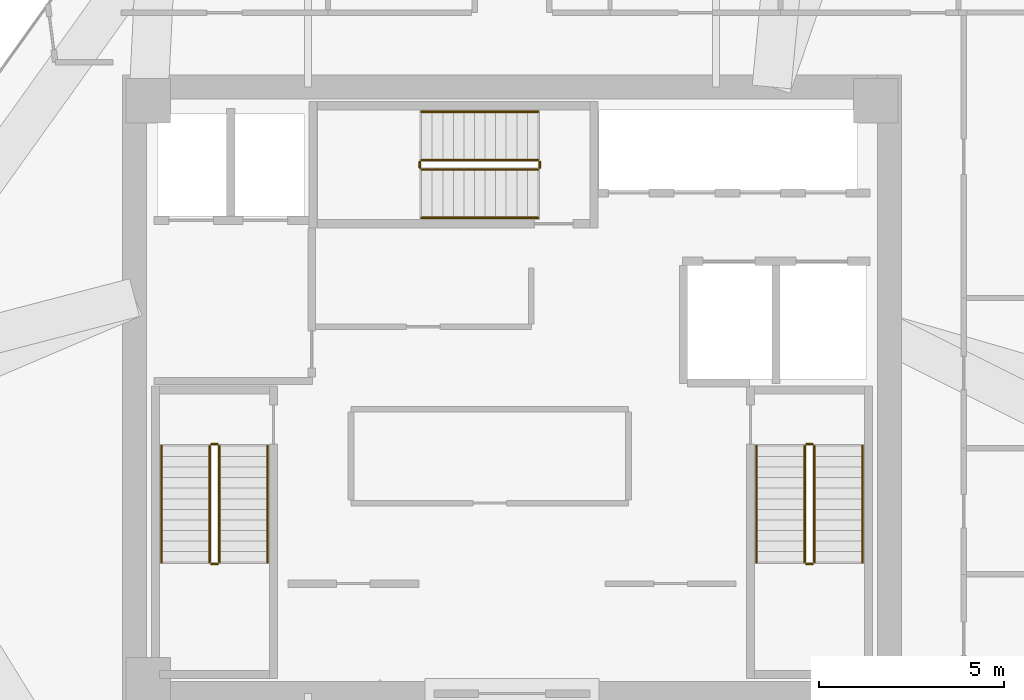
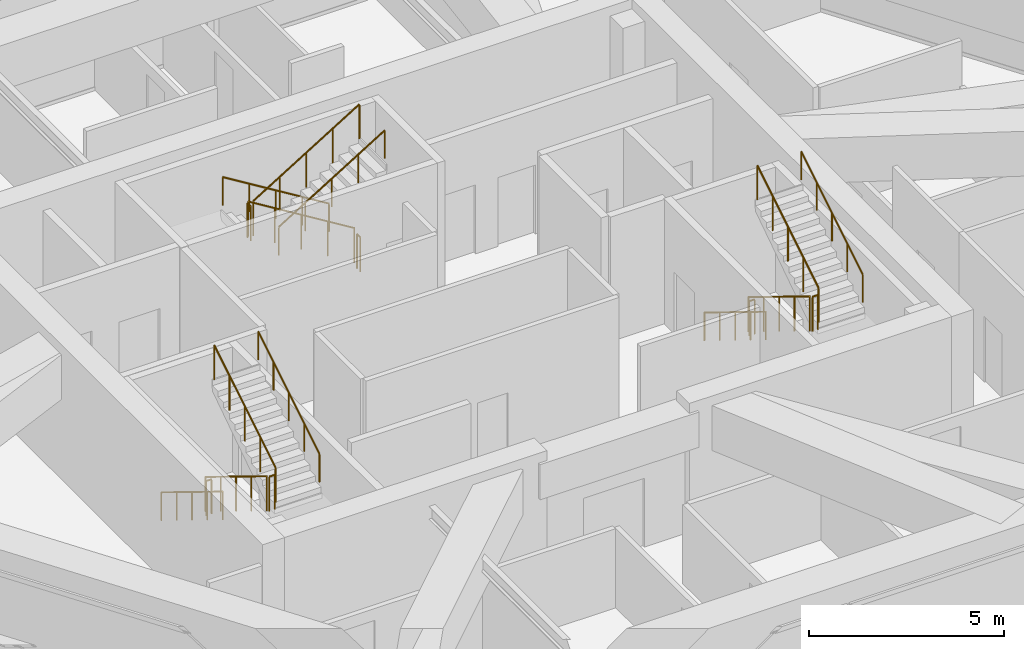
# One storey, part 11 of 11: 18 railings.
"""IFC4 building model written with IfcOpenShell, lengths in metres."""

import ifcopenshell
import ifcopenshell.guid

model = None  # the IFC model being written
_history = None  # IfcOwnerHistory: only IFC2X3 demands one
_inside = {}  # id of a spatial element -> (the spatial element, [elements in it])
_under = {}  # id of a project, library or spatial element -> (it, [spatial elements below it])
_declared = {}  # id of a project -> (the project, [libraries it declares])
_typed = {}  # id of a type object -> (the type object, [elements of that type])
_made_of = {}  # id of a material, layer set ... -> (it, [elements and type objects made of it])


def new_model(schema):
    """Start an empty IFC model of exactly this schema.

    Asked for "IFC4X3", IfcOpenShell would pick the latest addendum, in which some entities
    have other attributes; the version numbers below select the first issue.
    IFC2X3 requires an IfcOwnerHistory on every rooted entity: one is made here for all.
    """
    global model, _history
    if schema == "IFC4X3":
        model = ifcopenshell.file(schema_version=(4, 3, 0, 0))
    else:
        model = ifcopenshell.file(schema=schema)
    _inside.clear()
    _under.clear()
    _declared.clear()
    _typed.clear()
    _made_of.clear()
    _history = None
    if model.schema == "IFC2X3":
        org = make("IfcOrganization", Name="unknown")
        user = make(
            "IfcPersonAndOrganization",
            ThePerson=make("IfcPerson", FamilyName="unknown"),
            TheOrganization=org,
        )
        app = make(
            "IfcApplication",
            ApplicationDeveloper=org,
            Version="unknown",
            ApplicationFullName="unknown",
            ApplicationIdentifier="unknown",
        )
        _history = make(
            "IfcOwnerHistory",
            OwningUser=user,
            OwningApplication=app,
            ChangeAction="ADDED",
            CreationDate=0,
        )
    return model


def make(cls, **values):
    """One entity of the class cls with the attributes given. An attribute that is None is left unset."""
    return model.create_entity(
        cls, **{name: value for name, value in values.items() if value is not None}
    )


def rooted(cls, **values):
    """An entity with a GlobalId (a new one), such as an element, a storey or a relation."""
    return make(cls, GlobalId=ifcopenshell.guid.new(), OwnerHistory=_history, **values)


def si_unit(unit_type, name, prefix=None):
    """IfcSIUnit, for example si_unit("LENGTHUNIT", "METRE", prefix="MILLI")."""
    return make("IfcSIUnit", UnitType=unit_type, Prefix=prefix, Name=name)


def assignment(units):
    """IfcUnitAssignment: the units of a project."""
    return None if units is None else make("IfcUnitAssignment", Units=units)


def point(xyz):
    """IfcCartesianPoint."""
    return None if xyz is None else make("IfcCartesianPoint", Coordinates=xyz)


def direction(xyz):
    """IfcDirection."""
    return None if xyz is None else make("IfcDirection", DirectionRatios=xyz)


def frame(location, z_axis=None, x_axis=None):
    """IfcAxis2Placement3D, a coordinate frame: its origin and axes. An axis left out is left unset."""
    return make(
        "IfcAxis2Placement3D",
        Location=point(location),
        Axis=direction(z_axis),
        RefDirection=direction(x_axis),
    )


def frame_2d(location, x_axis=None):
    """IfcAxis2Placement2D, a coordinate frame in the plane: its origin and x axis."""
    return make(
        "IfcAxis2Placement2D", Location=point(location), RefDirection=direction(x_axis)
    )


def origin():
    """The frame at (0, 0, 0) with its axes left unset."""
    return frame((0.0, 0.0, 0.0))


def origin_2d():
    """The frame at (0, 0) in the plane with its x axis left unset."""
    return frame_2d((0.0, 0.0))


def place(relative_to, where):
    """IfcLocalPlacement: puts the frame where relative to a parent placement (None: the world)."""
    return make(
        "IfcLocalPlacement", PlacementRelTo=relative_to, RelativePlacement=where
    )


def context(
    kind, dimensions, precision=None, world=None, true_north=None, identifier=None
):
    """IfcGeometricRepresentationContext, for example the 3D "Model" context."""
    return make(
        "IfcGeometricRepresentationContext",
        ContextIdentifier=identifier,
        ContextType=kind,
        CoordinateSpaceDimension=dimensions,
        Precision=precision,
        WorldCoordinateSystem=world,
        TrueNorth=true_north,
    )


def subcontext(parent, identifier, kind, view, scale=None):
    """IfcGeometricRepresentationSubContext, for example "Body" below "Model"."""
    return make(
        "IfcGeometricRepresentationSubContext",
        ContextIdentifier=identifier,
        ContextType=kind,
        ParentContext=parent,
        TargetScale=scale,
        TargetView=view,
    )


def project(units=None, contexts=None):
    """IfcProject with its units and contexts."""
    return rooted(
        "IfcProject",
        Name="project",
        RepresentationContexts=contexts,
        UnitsInContext=assignment(units),
    )


def spatial(cls, under=None, at=None, **own):
    """A site, building, storey or space (cls), placed at a placement, below another one or the project."""
    s = rooted(cls, ObjectPlacement=at, **own)
    if under is not None:
        _under.setdefault(under.id(), (under, []))[1].append(s)
    return s


def profile(cls, at=None, kind="AREA", **sizes):
    """A parametric profile (cls). Its sizes go by their IFC names, for example OverallWidth=200.0."""
    return make(cls, ProfileType=kind, Position=at, **sizes)


def circle(**sizes):
    """IfcCircleProfileDef."""
    return profile("IfcCircleProfileDef", **sizes)


def extrude(swept, where, along, depth):
    """IfcExtrudedAreaSolid: the profile swept, set in the frame where, extruded along a direction by depth."""
    return make(
        "IfcExtrudedAreaSolid",
        SweptArea=swept,
        Position=where,
        ExtrudedDirection=direction(along),
        Depth=depth,
    )


def shape(context_of_items, identifier, shape_type, items):
    """IfcShapeRepresentation: the items that make up one representation, for example the "Body"."""
    return make(
        "IfcShapeRepresentation",
        ContextOfItems=context_of_items,
        RepresentationIdentifier=identifier,
        RepresentationType=shape_type,
        Items=items,
    )


def material(Name=None, Category=None):
    """IfcMaterial."""
    return make("IfcMaterial", Name=Name, Category=Category)


def made_of(thing, what):
    """Note that an element or type object is made of a material, layer set ...; save() writes the relation."""
    if what is not None:
        _made_of.setdefault(what.id(), (what, []))[1].append(thing)
    return thing


def type_object(cls, material=None, **own):
    """A type object (cls), such as IfcWallType, which elements share."""
    return made_of(rooted(cls, **own), material)


def element(
    cls,
    number,
    at=None,
    inside=None,
    cuts=None,
    type_object=None,
    material=None,
    context=None,
    identifier="Body",
    shape_type=None,
    held_by="IfcProductDefinitionShape",
    body=None,
    shapes=None,
    **own,
):
    """One element of the class cls, such as IfcWall. Its Tag is "e" and its number.

    at: its placement. inside: the storey or other place that contains it. cuts: it is an
    opening in that element (IfcRelVoidsElement). A single representation is given by context,
    identifier, shape_type and body (its items); several are given by shapes. held_by: the class
    of the entity that holds the representations. save() writes the other relations.
    """
    e = rooted(cls, Tag="e%d" % number, ObjectPlacement=at, **own)
    if body is not None:
        shapes = [shape(context, identifier, shape_type, body)]
    if shapes is not None:
        e.Representation = make(held_by, Representations=shapes)
    if inside is not None:
        _inside.setdefault(inside.id(), (inside, []))[1].append(e)
    if cuts is not None:
        rooted(
            "IfcRelVoidsElement", RelatingBuildingElement=cuts, RelatedOpeningElement=e
        )
    if type_object is not None:
        _typed.setdefault(type_object.id(), (type_object, []))[1].append(e)
    return made_of(e, material)


def aggregate(whole, parts):
    """IfcRelAggregates: a whole, such as a stair, and the parts it consists of."""
    return rooted("IfcRelAggregates", RelatingObject=whole, RelatedObjects=parts)


def save(model, path):
    """Write the relations noted so far, then the file.

    IfcRelAggregates (storeys below a building ...), IfcRelContainedInSpatialStructure (elements
    in a storey), IfcRelDefinesByType, IfcRelAssociatesMaterial and IfcRelDeclares: one each for
    every whole, place, type object, material and project.
    """
    for whole, parts in _under.values():
        aggregate(whole, parts)
    for where, things in _inside.values():
        rooted(
            "IfcRelContainedInSpatialStructure",
            RelatedElements=things,
            RelatingStructure=where,
        )
    for kind, things in _typed.values():
        rooted("IfcRelDefinesByType", RelatedObjects=things, RelatingType=kind)
    for what, things in _made_of.values():
        rooted("IfcRelAssociatesMaterial", RelatedObjects=things, RelatingMaterial=what)
    for by, libraries in _declared.values():
        rooted("IfcRelDeclares", RelatingContext=by, RelatedDefinitions=libraries)
    model.write(path)


model = new_model("IFC4")

# Units and contexts
model_context = context("Model", 3, precision=1e-05, world=origin(), true_north=direction((0.0, 1.0)))
body_context = subcontext(model_context, "Body", "Model", "MODEL_VIEW")
ifc_project = project(units=[si_unit("LENGTHUNIT", "METRE"), si_unit("AREAUNIT", "SQUARE_METRE"), si_unit("VOLUMEUNIT", "CUBIC_METRE"), si_unit("PLANEANGLEUNIT", "RADIAN"), si_unit("MASSUNIT", "GRAM", prefix="KILO")], contexts=[model_context])

# Site, building, storey
site_placement = place(None, origin())
site = spatial("IfcSite", under=ifc_project, at=site_placement, CompositionType="ELEMENT")
building_placement = place(site_placement, origin())
building = spatial("IfcBuilding", under=site, at=building_placement, Name="Durnholm Broadcast Tower", CompositionType="ELEMENT")
storey_placement = place(building_placement, frame((0.0, 0.0, 209.199951171875)))
storey = spatial("IfcBuildingStorey", under=building, at=storey_placement, Name="L58", CompositionType="ELEMENT", Elevation=209.199951171875)

# Railings
ifc_material_1 = material(Name="Painted Tubular Steel Stair Guardrail", Category="steel")
railing_type_1 = type_object("IfcRailingType", Name="RAIL-ST-GRD", PredefinedType="GUARDRAIL", material=ifc_material_1)
railing_1_placement = place(storey_placement, frame((-8.14990234375, -1.5, 0.175048828125)))
element("IfcRailing", 1, at=railing_1_placement, inside=storey, type_object=railing_type_1, Name="L58 ST-1 stair guard 1", PredefinedType="GUARDRAIL", context=body_context, shape_type="SweptSolid", body=[
    extrude(circle(Radius=0.02392578125, at=origin_2d()), frame((0.0, 0.0, 1.076171875), z_axis=(0.0, -0.852166034122, 0.523271488128), x_axis=(1.0, 0.0, 0.0)), (0.0, 0.0, 1.0), 3.678955078125),
    extrude(circle(Radius=0.02099609375, at=origin_2d()), origin(), (0.0, 0.0, 1.0), 1.052001953125),
    extrude(circle(Radius=0.02099609375, at=origin_2d()), frame((0.0, -0.78369140625, 0.481201171875)), (0.0, 0.0, 1.0), 1.052001953125),
    extrude(circle(Radius=0.02099609375, at=origin_2d()), frame((0.0, -1.5673828125, 0.96240234375)), (0.0, 0.0, 1.0), 1.052001953125),
    extrude(circle(Radius=0.02099609375, at=origin_2d()), frame((0.0, -2.351318359375, 1.44384765625)), (0.0, 0.0, 1.0), 1.052001953125),
    extrude(circle(Radius=0.02099609375, at=origin_2d()), frame((0.0, -3.135009765625, 1.925048828125)), (0.0, 0.0, 1.0), 1.052001953125),
])
railing_2_placement = place(storey_placement, frame((-8.10009765625, -4.68505859375, 2.10009765625)))
element("IfcRailing", 2, at=railing_2_placement, inside=storey, type_object=railing_type_1, Name="L58 ST-1 stair guard 2", PredefinedType="GUARDRAIL", context=body_context, shape_type="SweptSolid", body=[
    extrude(circle(Radius=0.02392578125, at=origin_2d()), frame((0.0, 0.0, 1.076171875), z_axis=(1.0, 0.0, 0.0), x_axis=(0.0, 1.0, 0.0)), (0.0, 0.0, 1.0), 0.16015625),
    extrude(circle(Radius=0.02099609375, at=origin_2d()), origin(), (0.0, 0.0, 1.0), 1.052001953125),
    extrude(circle(Radius=0.02099609375, at=origin_2d()), frame((0.16015625, 0.0, 0.0)), (0.0, 0.0, 1.0), 1.052001953125),
])
railing_3_placement = place(storey_placement, frame((-7.889892578125, -4.635009765625, 2.275146484375)))
element("IfcRailing", 3, at=railing_3_placement, inside=storey, type_object=railing_type_1, Name="L58 ST-1 stair guard 3", PredefinedType="GUARDRAIL", context=body_context, shape_type="SweptSolid", body=[
    extrude(circle(Radius=0.02392578125, at=origin_2d()), frame((0.0, 0.0, 1.076171875), z_axis=(0.0, 0.852195625947, 0.523223293744), x_axis=(-1.0, 0.0, 0.0)), (0.0, 0.0, 1.0), 3.6787109375),
    extrude(circle(Radius=0.02099609375, at=origin_2d()), origin(), (0.0, 0.0, 1.0), 1.052001953125),
    extrude(circle(Radius=0.02099609375, at=origin_2d()), frame((0.0, 0.78369140625, 0.481201171875)), (0.0, 0.0, 1.0), 1.052001953125),
    extrude(circle(Radius=0.02099609375, at=origin_2d()), frame((0.0, 1.5673828125, 0.96240234375)), (0.0, 0.0, 1.0), 1.052001953125),
    extrude(circle(Radius=0.02099609375, at=origin_2d()), frame((0.0, 2.351318359375, 1.443603515625)), (0.0, 0.0, 1.0), 1.052001953125),
    extrude(circle(Radius=0.02099609375, at=origin_2d()), frame((0.0, 3.135009765625, 1.9248046875)), (0.0, 0.0, 1.0), 1.052001953125),
])
railing_4_placement = place(storey_placement, frame((-8.10009765625, -1.449951171875, 0.0)))
element("IfcRailing", 4, at=railing_4_placement, inside=storey, type_object=railing_type_1, Name="L58 ST-1 stair guard 4", PredefinedType="GUARDRAIL", context=body_context, shape_type="SweptSolid", body=[
    extrude(circle(Radius=0.02392578125, at=origin_2d()), frame((0.0, 0.0, 1.076171875), z_axis=(1.0, 0.0, 0.0), x_axis=(0.0, 1.0, 0.0)), (0.0, 0.0, 1.0), 0.16015625),
    extrude(circle(Radius=0.02099609375, at=origin_2d()), origin(), (0.0, 0.0, 1.0), 1.052001953125),
    extrude(circle(Radius=0.02099609375, at=origin_2d()), frame((0.16015625, 0.0, 0.0)), (0.0, 0.0, 1.0), 1.052001953125),
])
railing_5_placement = place(storey_placement, frame((7.889892578125, -1.5, 0.175048828125)))
element("IfcRailing", 5, at=railing_5_placement, inside=storey, type_object=railing_type_1, Name="L58 ST-2 stair guard 1", PredefinedType="GUARDRAIL", context=body_context, shape_type="SweptSolid", body=[
    extrude(circle(Radius=0.02392578125, at=origin_2d()), frame((0.0, 0.0, 1.076171875), z_axis=(0.0, -0.852166034122, 0.523271488128), x_axis=(1.0, 0.0, 0.0)), (0.0, 0.0, 1.0), 3.678955078125),
    extrude(circle(Radius=0.02099609375, at=origin_2d()), origin(), (0.0, 0.0, 1.0), 1.052001953125),
    extrude(circle(Radius=0.02099609375, at=origin_2d()), frame((0.0, -0.78369140625, 0.481201171875)), (0.0, 0.0, 1.0), 1.052001953125),
    extrude(circle(Radius=0.02099609375, at=origin_2d()), frame((0.0, -1.5673828125, 0.96240234375)), (0.0, 0.0, 1.0), 1.052001953125),
    extrude(circle(Radius=0.02099609375, at=origin_2d()), frame((0.0, -2.351318359375, 1.44384765625)), (0.0, 0.0, 1.0), 1.052001953125),
    extrude(circle(Radius=0.02099609375, at=origin_2d()), frame((0.0, -3.135009765625, 1.925048828125)), (0.0, 0.0, 1.0), 1.052001953125),
])
railing_6_placement = place(storey_placement, frame((7.93994140625, -4.68505859375, 2.10009765625)))
element("IfcRailing", 6, at=railing_6_placement, inside=storey, type_object=railing_type_1, Name="L58 ST-2 stair guard 2", PredefinedType="GUARDRAIL", context=body_context, shape_type="SweptSolid", body=[
    extrude(circle(Radius=0.02392578125, at=origin_2d()), frame((0.0, 0.0, 1.076171875), z_axis=(1.0, 0.0, 0.0), x_axis=(0.0, 1.0, 0.0)), (0.0, 0.0, 1.0), 0.16015625),
    extrude(circle(Radius=0.02099609375, at=origin_2d()), origin(), (0.0, 0.0, 1.0), 1.052001953125),
    extrude(circle(Radius=0.02099609375, at=origin_2d()), frame((0.16015625, 0.0, 0.0)), (0.0, 0.0, 1.0), 1.052001953125),
])
railing_7_placement = place(storey_placement, frame((8.14990234375, -4.635009765625, 2.275146484375)))
element("IfcRailing", 7, at=railing_7_placement, inside=storey, type_object=railing_type_1, Name="L58 ST-2 stair guard 3", PredefinedType="GUARDRAIL", context=body_context, shape_type="SweptSolid", body=[
    extrude(circle(Radius=0.02392578125, at=origin_2d()), frame((0.0, 0.0, 1.076171875), z_axis=(0.0, 0.852195625947, 0.523223293744), x_axis=(-1.0, 0.0, 0.0)), (0.0, 0.0, 1.0), 3.6787109375),
    extrude(circle(Radius=0.02099609375, at=origin_2d()), origin(), (0.0, 0.0, 1.0), 1.052001953125),
    extrude(circle(Radius=0.02099609375, at=origin_2d()), frame((0.0, 0.78369140625, 0.481201171875)), (0.0, 0.0, 1.0), 1.052001953125),
    extrude(circle(Radius=0.02099609375, at=origin_2d()), frame((0.0, 1.5673828125, 0.96240234375)), (0.0, 0.0, 1.0), 1.052001953125),
    extrude(circle(Radius=0.02099609375, at=origin_2d()), frame((0.0, 2.351318359375, 1.443603515625)), (0.0, 0.0, 1.0), 1.052001953125),
    extrude(circle(Radius=0.02099609375, at=origin_2d()), frame((0.0, 3.135009765625, 1.9248046875)), (0.0, 0.0, 1.0), 1.052001953125),
])
railing_8_placement = place(storey_placement, frame((7.93994140625, -1.449951171875, 0.0)))
element("IfcRailing", 8, at=railing_8_placement, inside=storey, type_object=railing_type_1, Name="L58 ST-2 stair guard 4", PredefinedType="GUARDRAIL", context=body_context, shape_type="SweptSolid", body=[
    extrude(circle(Radius=0.02392578125, at=origin_2d()), frame((0.0, 0.0, 1.076171875), z_axis=(1.0, 0.0, 0.0), x_axis=(0.0, 1.0, 0.0)), (0.0, 0.0, 1.0), 0.16015625),
    extrude(circle(Radius=0.02099609375, at=origin_2d()), origin(), (0.0, 0.0, 1.0), 1.052001953125),
    extrude(circle(Radius=0.02099609375, at=origin_2d()), frame((0.16015625, 0.0, 0.0)), (0.0, 0.0, 1.0), 1.052001953125),
])
railing_9_placement = place(storey_placement, frame((0.699951171875, 6.2099609375, 0.175048828125)))
element("IfcRailing", 9, at=railing_9_placement, inside=storey, type_object=railing_type_1, Name="L58 ST-3 stair guard 1", PredefinedType="GUARDRAIL", context=body_context, shape_type="SweptSolid", body=[
    extrude(circle(Radius=0.02392578125, at=origin_2d()), frame((0.0, 0.0, 1.076171875), z_axis=(-0.852166034122, 0.0, 0.523271488128), x_axis=(0.0, -1.0, 0.0)), (0.0, 0.0, 1.0), 3.678955078125),
    extrude(circle(Radius=0.02099609375, at=origin_2d()), origin(), (0.0, 0.0, 1.0), 1.052001953125),
    extrude(circle(Radius=0.02099609375, at=origin_2d()), frame((-0.78369140625, 0.0, 0.481201171875)), (0.0, 0.0, 1.0), 1.052001953125),
    extrude(circle(Radius=0.02099609375, at=origin_2d()), frame((-1.5673828125, 0.0, 0.96240234375)), (0.0, 0.0, 1.0), 1.052001953125),
    extrude(circle(Radius=0.02099609375, at=origin_2d()), frame((-2.351318359375, 0.0, 1.44384765625)), (0.0, 0.0, 1.0), 1.052001953125),
    extrude(circle(Radius=0.02099609375, at=origin_2d()), frame((-3.135009765625, 0.0, 1.925048828125)), (0.0, 0.0, 1.0), 1.052001953125),
])
railing_10_placement = place(storey_placement, frame((-2.485107421875, 6.159912109375, 2.10009765625)))
element("IfcRailing", 10, at=railing_10_placement, inside=storey, type_object=railing_type_1, Name="L58 ST-3 stair guard 2", PredefinedType="GUARDRAIL", context=body_context, shape_type="SweptSolid", body=[
    extrude(circle(Radius=0.02392578125, at=origin_2d()), frame((0.0, 0.0, 1.076171875), z_axis=(0.0, -1.0, 0.0), x_axis=(1.0, 0.0, 0.0)), (0.0, 0.0, 1.0), 0.159912109375),
    extrude(circle(Radius=0.02099609375, at=origin_2d()), origin(), (0.0, 0.0, 1.0), 1.052001953125),
    extrude(circle(Radius=0.02099609375, at=origin_2d()), frame((0.0, -0.159912109375, 0.0)), (0.0, 0.0, 1.0), 1.052001953125),
])
railing_11_placement = place(storey_placement, frame((-2.43505859375, 5.949951171875, 2.275146484375)))
element("IfcRailing", 11, at=railing_11_placement, inside=storey, type_object=railing_type_1, Name="L58 ST-3 stair guard 3", PredefinedType="GUARDRAIL", context=body_context, shape_type="SweptSolid", body=[
    extrude(circle(Radius=0.02392578125, at=origin_2d()), frame((0.0, 0.0, 1.076171875), z_axis=(0.852195625947, 0.0, 0.523223293744), x_axis=(0.0, 1.0, 0.0)), (0.0, 0.0, 1.0), 3.6787109375),
    extrude(circle(Radius=0.02099609375, at=origin_2d()), origin(), (0.0, 0.0, 1.0), 1.052001953125),
    extrude(circle(Radius=0.02099609375, at=origin_2d()), frame((0.78369140625, 0.0, 0.481201171875)), (0.0, 0.0, 1.0), 1.052001953125),
    extrude(circle(Radius=0.02099609375, at=origin_2d()), frame((1.5673828125, 0.0, 0.96240234375)), (0.0, 0.0, 1.0), 1.052001953125),
    extrude(circle(Radius=0.02099609375, at=origin_2d()), frame((2.351318359375, 0.0, 1.443603515625)), (0.0, 0.0, 1.0), 1.052001953125),
    extrude(circle(Radius=0.02099609375, at=origin_2d()), frame((3.135009765625, 0.0, 1.9248046875)), (0.0, 0.0, 1.0), 1.052001953125),
])
railing_12_placement = place(storey_placement, frame((0.75, 6.159912109375, 0.0)))
element("IfcRailing", 12, at=railing_12_placement, inside=storey, type_object=railing_type_1, Name="L58 ST-3 stair guard 4", PredefinedType="GUARDRAIL", context=body_context, shape_type="SweptSolid", body=[
    extrude(circle(Radius=0.02392578125, at=origin_2d()), frame((0.0, 0.0, 1.076171875), z_axis=(0.0, -1.0, 0.0), x_axis=(1.0, 0.0, 0.0)), (0.0, 0.0, 1.0), 0.159912109375),
    extrude(circle(Radius=0.02099609375, at=origin_2d()), origin(), (0.0, 0.0, 1.0), 1.052001953125),
    extrude(circle(Radius=0.02099609375, at=origin_2d()), frame((0.0, -0.159912109375, 0.0)), (0.0, 0.0, 1.0), 1.052001953125),
])
ifc_material_2 = material(Name="Brushed Stainless Steel Handrail", Category="steel")
railing_type_2 = type_object("IfcRailingType", Name="RAIL-ST-HND", PredefinedType="HANDRAIL", material=ifc_material_2)
railing_13_placement = place(storey_placement, frame((-9.449951171875, -1.5, 0.35009765625)))
element("IfcRailing", 13, at=railing_13_placement, inside=storey, type_object=railing_type_2, Name="L58 ST-1 stair handrail 1", PredefinedType="HANDRAIL", context=body_context, shape_type="SweptSolid", body=[
    extrude(circle(Radius=0.02392578125, at=origin_2d()), frame((0.0, 0.0, 0.8759765625), z_axis=(0.0, -0.852166034122, 0.523271488128), x_axis=(1.0, 0.0, 0.0)), (0.0, 0.0, 1.0), 3.678955078125),
    extrude(circle(Radius=0.02099609375, at=origin_2d()), origin(), (0.0, 0.0, 1.0), 0.851806640625),
    extrude(circle(Radius=0.02099609375, at=origin_2d()), frame((0.0, -0.78369140625, 0.481201171875)), (0.0, 0.0, 1.0), 0.851806640625),
    extrude(circle(Radius=0.02099609375, at=origin_2d()), frame((0.0, -1.5673828125, 0.96240234375)), (0.0, 0.0, 1.0), 0.851806640625),
    extrude(circle(Radius=0.02099609375, at=origin_2d()), frame((0.0, -2.351318359375, 1.44384765625)), (0.0, 0.0, 1.0), 0.851806640625),
    extrude(circle(Radius=0.02099609375, at=origin_2d()), frame((0.0, -3.135009765625, 1.925048828125)), (0.0, 0.0, 1.0), 0.851806640625),
])
railing_14_placement = place(storey_placement, frame((-6.590087890625, -4.635009765625, 2.449951171875)))
element("IfcRailing", 14, at=railing_14_placement, inside=storey, type_object=railing_type_2, Name="L58 ST-1 stair handrail 2", PredefinedType="HANDRAIL", context=body_context, shape_type="SweptSolid", body=[
    extrude(circle(Radius=0.02392578125, at=origin_2d()), frame((0.0, 0.0, 0.8759765625), z_axis=(0.0, 0.852166034122, 0.523271488128), x_axis=(-1.0, 0.0, 0.0)), (0.0, 0.0, 1.0), 3.678955078125),
    extrude(circle(Radius=0.02099609375, at=origin_2d()), origin(), (0.0, 0.0, 1.0), 0.851806640625),
    extrude(circle(Radius=0.02099609375, at=origin_2d()), frame((0.0, 0.78369140625, 0.481201171875)), (0.0, 0.0, 1.0), 0.851806640625),
    extrude(circle(Radius=0.02099609375, at=origin_2d()), frame((0.0, 1.5673828125, 0.96240234375)), (0.0, 0.0, 1.0), 0.851806640625),
    extrude(circle(Radius=0.02099609375, at=origin_2d()), frame((0.0, 2.351318359375, 1.44384765625)), (0.0, 0.0, 1.0), 0.851806640625),
    extrude(circle(Radius=0.02099609375, at=origin_2d()), frame((0.0, 3.135009765625, 1.925048828125)), (0.0, 0.0, 1.0), 0.851806640625),
])
railing_15_placement = place(storey_placement, frame((6.590087890625, -1.5, 0.35009765625)))
element("IfcRailing", 15, at=railing_15_placement, inside=storey, type_object=railing_type_2, Name="L58 ST-2 stair handrail 1", PredefinedType="HANDRAIL", context=body_context, shape_type="SweptSolid", body=[
    extrude(circle(Radius=0.02392578125, at=origin_2d()), frame((0.0, 0.0, 0.8759765625), z_axis=(0.0, -0.852166034122, 0.523271488128), x_axis=(1.0, 0.0, 0.0)), (0.0, 0.0, 1.0), 3.678955078125),
    extrude(circle(Radius=0.02099609375, at=origin_2d()), origin(), (0.0, 0.0, 1.0), 0.851806640625),
    extrude(circle(Radius=0.02099609375, at=origin_2d()), frame((0.0, -0.78369140625, 0.481201171875)), (0.0, 0.0, 1.0), 0.851806640625),
    extrude(circle(Radius=0.02099609375, at=origin_2d()), frame((0.0, -1.5673828125, 0.96240234375)), (0.0, 0.0, 1.0), 0.851806640625),
    extrude(circle(Radius=0.02099609375, at=origin_2d()), frame((0.0, -2.351318359375, 1.44384765625)), (0.0, 0.0, 1.0), 0.851806640625),
    extrude(circle(Radius=0.02099609375, at=origin_2d()), frame((0.0, -3.135009765625, 1.925048828125)), (0.0, 0.0, 1.0), 0.851806640625),
])
railing_16_placement = place(storey_placement, frame((9.449951171875, -4.635009765625, 2.449951171875)))
element("IfcRailing", 16, at=railing_16_placement, inside=storey, type_object=railing_type_2, Name="L58 ST-2 stair handrail 2", PredefinedType="HANDRAIL", context=body_context, shape_type="SweptSolid", body=[
    extrude(circle(Radius=0.02392578125, at=origin_2d()), frame((0.0, 0.0, 0.8759765625), z_axis=(0.0, 0.852166034122, 0.523271488128), x_axis=(-1.0, 0.0, 0.0)), (0.0, 0.0, 1.0), 3.678955078125),
    extrude(circle(Radius=0.02099609375, at=origin_2d()), origin(), (0.0, 0.0, 1.0), 0.851806640625),
    extrude(circle(Radius=0.02099609375, at=origin_2d()), frame((0.0, 0.78369140625, 0.481201171875)), (0.0, 0.0, 1.0), 0.851806640625),
    extrude(circle(Radius=0.02099609375, at=origin_2d()), frame((0.0, 1.5673828125, 0.96240234375)), (0.0, 0.0, 1.0), 0.851806640625),
    extrude(circle(Radius=0.02099609375, at=origin_2d()), frame((0.0, 2.351318359375, 1.44384765625)), (0.0, 0.0, 1.0), 0.851806640625),
    extrude(circle(Radius=0.02099609375, at=origin_2d()), frame((0.0, 3.135009765625, 1.925048828125)), (0.0, 0.0, 1.0), 0.851806640625),
])
railing_17_placement = place(storey_placement, frame((0.699951171875, 7.510009765625, 0.35009765625)))
element("IfcRailing", 17, at=railing_17_placement, inside=storey, type_object=railing_type_2, Name="L58 ST-3 stair handrail 1", PredefinedType="HANDRAIL", context=body_context, shape_type="SweptSolid", body=[
    extrude(circle(Radius=0.02392578125, at=origin_2d()), frame((0.0, 0.0, 0.8759765625), z_axis=(-0.852166034122, 0.0, 0.523271488128), x_axis=(0.0, -1.0, 0.0)), (0.0, 0.0, 1.0), 3.678955078125),
    extrude(circle(Radius=0.02099609375, at=origin_2d()), origin(), (0.0, 0.0, 1.0), 0.851806640625),
    extrude(circle(Radius=0.02099609375, at=origin_2d()), frame((-0.78369140625, 0.0, 0.481201171875)), (0.0, 0.0, 1.0), 0.851806640625),
    extrude(circle(Radius=0.02099609375, at=origin_2d()), frame((-1.5673828125, 0.0, 0.96240234375)), (0.0, 0.0, 1.0), 0.851806640625),
    extrude(circle(Radius=0.02099609375, at=origin_2d()), frame((-2.351318359375, 0.0, 1.44384765625)), (0.0, 0.0, 1.0), 0.851806640625),
    extrude(circle(Radius=0.02099609375, at=origin_2d()), frame((-3.135009765625, 0.0, 1.925048828125)), (0.0, 0.0, 1.0), 0.851806640625),
])
railing_18_placement = place(storey_placement, frame((-2.43505859375, 4.64990234375, 2.449951171875)))
element("IfcRailing", 18, at=railing_18_placement, inside=storey, type_object=railing_type_2, Name="L58 ST-3 stair handrail 2", PredefinedType="HANDRAIL", context=body_context, shape_type="SweptSolid", body=[
    extrude(circle(Radius=0.02392578125, at=origin_2d()), frame((0.0, 0.0, 0.8759765625), z_axis=(0.852166034122, 0.0, 0.523271488128), x_axis=(0.0, 1.0, 0.0)), (0.0, 0.0, 1.0), 3.678955078125),
    extrude(circle(Radius=0.02099609375, at=origin_2d()), origin(), (0.0, 0.0, 1.0), 0.851806640625),
    extrude(circle(Radius=0.02099609375, at=origin_2d()), frame((0.78369140625, 0.0, 0.481201171875)), (0.0, 0.0, 1.0), 0.851806640625),
    extrude(circle(Radius=0.02099609375, at=origin_2d()), frame((1.5673828125, 0.0, 0.96240234375)), (0.0, 0.0, 1.0), 0.851806640625),
    extrude(circle(Radius=0.02099609375, at=origin_2d()), frame((2.351318359375, 0.0, 1.44384765625)), (0.0, 0.0, 1.0), 0.851806640625),
    extrude(circle(Radius=0.02099609375, at=origin_2d()), frame((3.135009765625, 0.0, 1.925048828125)), (0.0, 0.0, 1.0), 0.851806640625),
])

save(model, "model.ifc")
